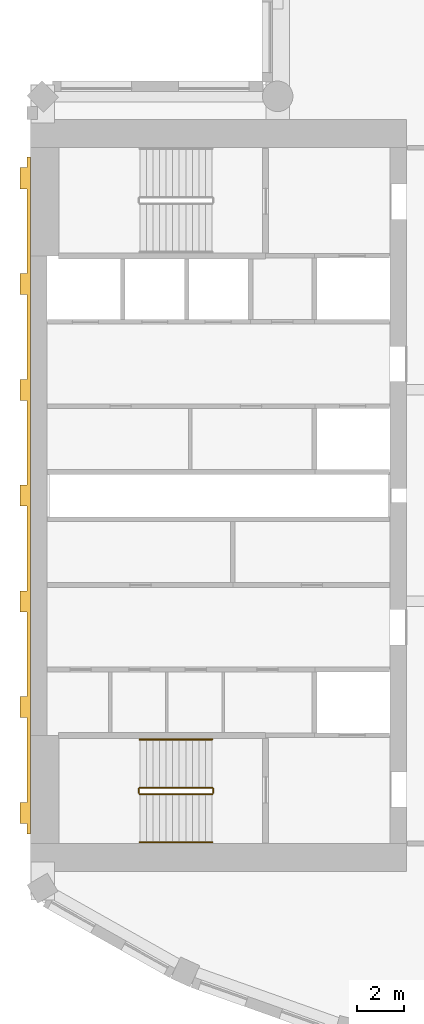
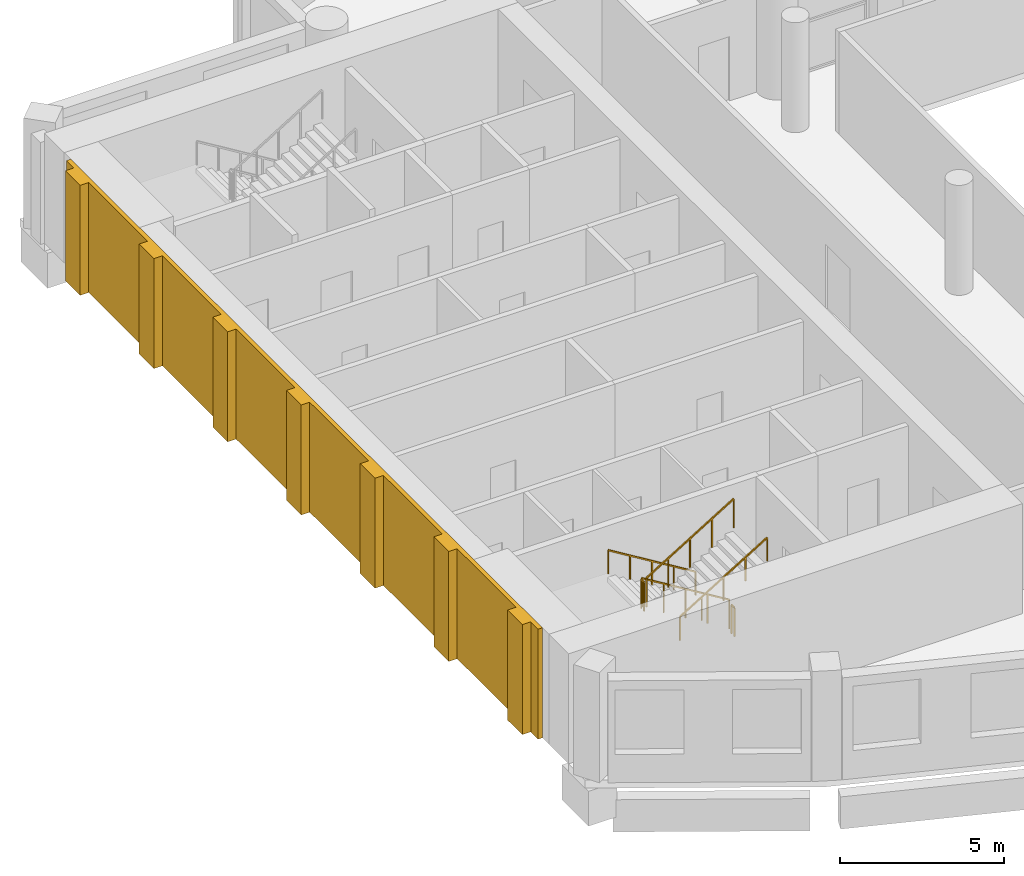
# One storey, part 11 of 15: 6 railings, 1 covering.
"""IFC4 building model written with IfcOpenShell, lengths in metres."""

from ifc_helpers import new_model, si_unit, direction, frame, origin, origin_2d, place, context, subcontext, project, spatial, polyline, rectangle, outline, extrude, material, layer, layer_set, type_object, element, save


model = new_model("IFC4")

# Units and contexts
model_context = context("Model", 3, precision=1e-05, world=origin(), true_north=direction((0.0, 1.0)))
body_context = subcontext(model_context, "Body", "Model", "MODEL_VIEW")
ifc_project = project(units=[si_unit("LENGTHUNIT", "METRE"), si_unit("AREAUNIT", "SQUARE_METRE"), si_unit("VOLUMEUNIT", "CUBIC_METRE"), si_unit("PLANEANGLEUNIT", "RADIAN"), si_unit("MASSUNIT", "GRAM", prefix="KILO")], contexts=[model_context])

# Site, building, storey
site_placement = place(None, origin())
site = spatial("IfcSite", under=ifc_project, at=site_placement, CompositionType="ELEMENT")
building_placement = place(site_placement, origin())
building = spatial("IfcBuilding", under=site, at=building_placement, Name="Cypress Arch Tower", CompositionType="ELEMENT")
storey_placement = place(building_placement, frame((0.0, 0.0, 243.39990234375)))
storey = spatial("IfcBuildingStorey", under=building, at=storey_placement, Name="L54", CompositionType="ELEMENT", Elevation=243.39990234375)

# Railings
ifc_material_1 = material(Name="Black powder-coated steel square bar 48 mm", Category="steel")
railing_type_1 = type_object("IfcRailingType", Name="Stair handrail HR1", PredefinedType="HANDRAIL", material=ifc_material_1)
railing_1_placement = place(storey_placement, frame((-22.27490234375, -10.375, 0.1708984375)))
element("IfcRailing", 1, at=railing_1_placement, inside=storey, type_object=railing_type_1, Name="L54 A stair handrail 1", PredefinedType="HANDRAIL", context=body_context, shape_type="SweptSolid", body=[
    extrude(rectangle(XDim=0.048095703125, YDim=0.048095703125, at=origin_2d()), frame((0.0, 0.0, 0.8759765625), z_axis=(-0.853666305674, 0.0, 0.52082035152), x_axis=(0.0, -1.0, 0.0)), (0.0, 0.0, 1.0), 3.608154296875),
    extrude(rectangle(XDim=0.0419921875, YDim=0.0419921875, at=origin_2d()), origin(), (0.0, 0.0, 1.0), 0.851806640625),
    extrude(rectangle(XDim=0.0419921875, YDim=0.0419921875, at=origin_2d()), frame((-0.77001953125, 0.0, 0.4697265625)), (0.0, 0.0, 1.0), 0.851806640625),
    extrude(rectangle(XDim=0.0419921875, YDim=0.0419921875, at=origin_2d()), frame((-1.5400390625, 0.0, 0.939453125)), (0.0, 0.0, 1.0), 0.851806640625),
    extrude(rectangle(XDim=0.0419921875, YDim=0.0419921875, at=origin_2d()), frame((-2.31005859375, 0.0, 1.409423828125)), (0.0, 0.0, 1.0), 0.851806640625),
    extrude(rectangle(XDim=0.0419921875, YDim=0.0419921875, at=origin_2d()), frame((-3.080078125, 0.0, 1.879150390625)), (0.0, 0.0, 1.0), 0.851806640625),
])
railing_2_placement = place(storey_placement, frame((-25.35498046875, -14.75, 2.220947265625)))
element("IfcRailing", 2, at=railing_2_placement, inside=storey, type_object=railing_type_1, Name="L54 A stair handrail 2", PredefinedType="HANDRAIL", context=body_context, shape_type="SweptSolid", body=[
    extrude(rectangle(XDim=0.048095703125, YDim=0.048095703125, at=origin_2d()), frame((0.0, 0.0, 0.8759765625), z_axis=(0.853666305674, 0.0, 0.52082035152), x_axis=(0.0, 1.0, 0.0)), (0.0, 0.0, 1.0), 3.608154296875),
    extrude(rectangle(XDim=0.0419921875, YDim=0.0419921875, at=origin_2d()), origin(), (0.0, 0.0, 1.0), 0.851806640625),
    extrude(rectangle(XDim=0.0419921875, YDim=0.0419921875, at=origin_2d()), frame((0.77001953125, 0.0, 0.4697265625)), (0.0, 0.0, 1.0), 0.851806640625),
    extrude(rectangle(XDim=0.0419921875, YDim=0.0419921875, at=origin_2d()), frame((1.5400390625, 0.0, 0.939453125)), (0.0, 0.0, 1.0), 0.851806640625),
    extrude(rectangle(XDim=0.0419921875, YDim=0.0419921875, at=origin_2d()), frame((2.31005859375, 0.0, 1.409423828125)), (0.0, 0.0, 1.0), 0.851806640625),
    extrude(rectangle(XDim=0.0419921875, YDim=0.0419921875, at=origin_2d()), frame((3.080078125, 0.0, 1.879150390625)), (0.0, 0.0, 1.0), 0.851806640625),
])
ifc_material_2 = material(Name="Black powder-coated steel balusters", Category="steel")
railing_type_2 = type_object("IfcRailingType", Name="Stair well guard G1", PredefinedType="GUARDRAIL", material=ifc_material_2)
railing_3_placement = place(storey_placement, frame((-22.27490234375, -12.425048828125, 0.1708984375)))
element("IfcRailing", 3, at=railing_3_placement, inside=storey, type_object=railing_type_2, Name="L54 A stair guard 1", PredefinedType="GUARDRAIL", context=body_context, shape_type="SweptSolid", body=[
    extrude(rectangle(XDim=0.048095703125, YDim=0.048095703125, at=origin_2d()), frame((0.0, 0.0, 1.076171875), z_axis=(-0.853666305674, 0.0, 0.52082035152), x_axis=(0.0, -1.0, 0.0)), (0.0, 0.0, 1.0), 3.608154296875),
    extrude(rectangle(XDim=0.0419921875, YDim=0.0419921875, at=origin_2d()), origin(), (0.0, 0.0, 1.0), 1.052001953125),
    extrude(rectangle(XDim=0.0419921875, YDim=0.0419921875, at=origin_2d()), frame((-0.77001953125, 0.0, 0.4697265625)), (0.0, 0.0, 1.0), 1.052001953125),
    extrude(rectangle(XDim=0.0419921875, YDim=0.0419921875, at=origin_2d()), frame((-1.5400390625, 0.0, 0.939453125)), (0.0, 0.0, 1.0), 1.052001953125),
    extrude(rectangle(XDim=0.0419921875, YDim=0.0419921875, at=origin_2d()), frame((-2.31005859375, 0.0, 1.409423828125)), (0.0, 0.0, 1.0), 1.052001953125),
    extrude(rectangle(XDim=0.0419921875, YDim=0.0419921875, at=origin_2d()), frame((-3.080078125, 0.0, 1.879150390625)), (0.0, 0.0, 1.0), 1.052001953125),
])
railing_4_placement = place(storey_placement, frame((-25.405029296875, -12.47509765625, 2.050048828125)))
element("IfcRailing", 4, at=railing_4_placement, inside=storey, type_object=railing_type_2, Name="L54 A stair guard 2", PredefinedType="GUARDRAIL", context=body_context, shape_type="SweptSolid", body=[
    extrude(rectangle(XDim=0.048095703125, YDim=0.048095703125, at=origin_2d()), frame((0.0, 0.0, 1.076171875), z_axis=(0.0, -1.0, 0.0), x_axis=(1.0, 0.0, 0.0)), (0.0, 0.0, 1.0), 0.1748046875),
    extrude(rectangle(XDim=0.0419921875, YDim=0.0419921875, at=origin_2d()), origin(), (0.0, 0.0, 1.0), 1.052001953125),
    extrude(rectangle(XDim=0.0419921875, YDim=0.0419921875, at=origin_2d()), frame((0.0, -0.1748046875, 0.0)), (0.0, 0.0, 1.0), 1.052001953125),
])
railing_5_placement = place(storey_placement, frame((-25.35498046875, -12.699951171875, 2.220947265625)))
element("IfcRailing", 5, at=railing_5_placement, inside=storey, type_object=railing_type_2, Name="L54 A stair guard 3", PredefinedType="GUARDRAIL", context=body_context, shape_type="SweptSolid", body=[
    extrude(rectangle(XDim=0.048095703125, YDim=0.048095703125, at=origin_2d()), frame((0.0, 0.0, 1.076171875), z_axis=(0.853666305674, 0.0, 0.52082035152), x_axis=(0.0, 1.0, 0.0)), (0.0, 0.0, 1.0), 3.608154296875),
    extrude(rectangle(XDim=0.0419921875, YDim=0.0419921875, at=origin_2d()), origin(), (0.0, 0.0, 1.0), 1.052001953125),
    extrude(rectangle(XDim=0.0419921875, YDim=0.0419921875, at=origin_2d()), frame((0.77001953125, 0.0, 0.4697265625)), (0.0, 0.0, 1.0), 1.052001953125),
    extrude(rectangle(XDim=0.0419921875, YDim=0.0419921875, at=origin_2d()), frame((1.5400390625, 0.0, 0.939453125)), (0.0, 0.0, 1.0), 1.052001953125),
    extrude(rectangle(XDim=0.0419921875, YDim=0.0419921875, at=origin_2d()), frame((2.31005859375, 0.0, 1.409423828125)), (0.0, 0.0, 1.0), 1.052001953125),
    extrude(rectangle(XDim=0.0419921875, YDim=0.0419921875, at=origin_2d()), frame((3.080078125, 0.0, 1.879150390625)), (0.0, 0.0, 1.0), 1.052001953125),
])
railing_6_placement = place(storey_placement, frame((-22.22509765625, -12.47509765625, 0.0)))
element("IfcRailing", 6, at=railing_6_placement, inside=storey, type_object=railing_type_2, Name="L54 A stair guard 4", PredefinedType="GUARDRAIL", context=body_context, shape_type="SweptSolid", body=[
    extrude(rectangle(XDim=0.048095703125, YDim=0.048095703125, at=origin_2d()), frame((0.0, 0.0, 1.076171875), z_axis=(0.0, -1.0, 0.0), x_axis=(1.0, 0.0, 0.0)), (0.0, 0.0, 1.0), 0.1748046875),
    extrude(rectangle(XDim=0.0419921875, YDim=0.0419921875, at=origin_2d()), origin(), (0.0, 0.0, 1.0), 1.052001953125),
    extrude(rectangle(XDim=0.0419921875, YDim=0.0419921875, at=origin_2d()), frame((0.0, -0.1748046875, 0.0)), (0.0, 0.0, 1.0), 1.052001953125),
])

# Covering
ifc_material_3 = material(Name="Brick (red buff blend)", Category="masonry")
ifc_layer = layer(ifc_material_3, 0.449951171875)
ifc_layer_set = layer_set([ifc_layer], Name="West face brick piers WP450")
covering_type = type_object("IfcCoveringType", Name="West face brick piers WP450", PredefinedType="CLADDING", material=ifc_layer_set)
covering_placement = place(storey_placement, origin())
element("IfcCovering", 7, at=covering_placement, inside=storey, type_object=covering_type, Name="West face brick piers L54", PredefinedType="CLADDING", context=body_context, shape_type="SweptSolid", body=[
    extrude(outline(polyline([(-30.14990234375, -13.050048828125), (-30.14990234375, -9.449951171875), (-30.449951171875, -9.449951171875), (-30.449951171875, -8.550048828125), (-30.14990234375, -8.550048828125), (-30.14990234375, -4.949951171875), (-30.449951171875, -4.949951171875), (-30.449951171875, -4.050048828125), (-30.14990234375, -4.050048828125), (-30.14990234375, -0.449951171875), (-30.449951171875, -0.449951171875), (-30.449951171875, 0.449951171875), (-30.14990234375, 0.449951171875), (-30.14990234375, 4.050048828125), (-30.449951171875, 4.050048828125), (-30.449951171875, 4.949951171875), (-30.14990234375, 4.949951171875), (-30.14990234375, 8.550048828125), (-30.449951171875, 8.550048828125), (-30.449951171875, 9.449951171875), (-30.14990234375, 9.449951171875), (-30.14990234375, 13.050048828125), (-30.449951171875, 13.050048828125), (-30.449951171875, 13.949951171875), (-30.14990234375, 13.949951171875), (-30.14990234375, 14.39990234375), (-30.0, 14.39990234375), (-30.0, -14.39990234375), (-30.14990234375, -14.39990234375), (-30.14990234375, -13.949951171875), (-30.449951171875, -13.949951171875), (-30.449951171875, -13.050048828125), (-30.14990234375, -13.050048828125)])), origin(), (0.0, 0.0, 1.0), 4.10009765625),
])

save(model, "model.ifc")
